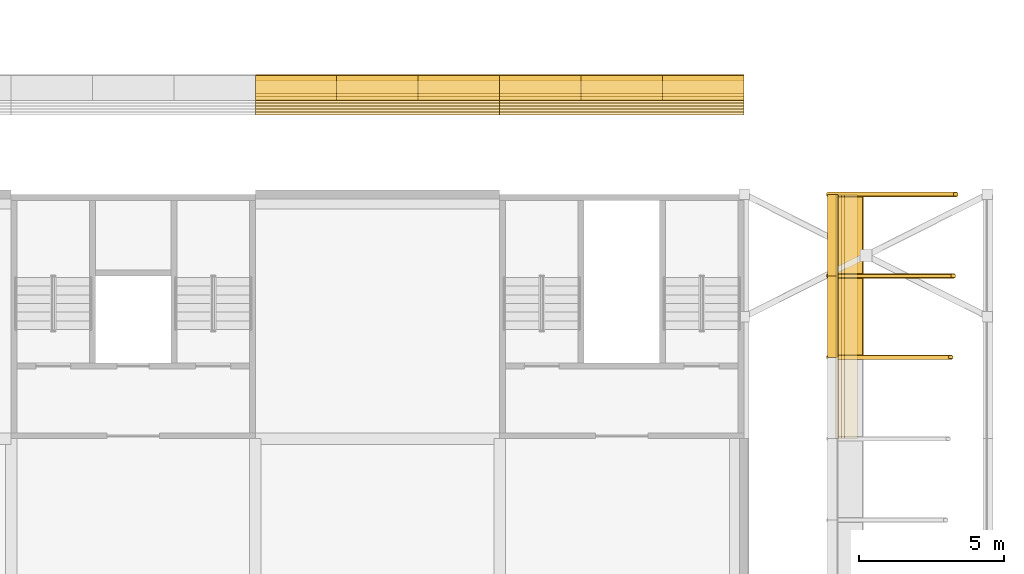
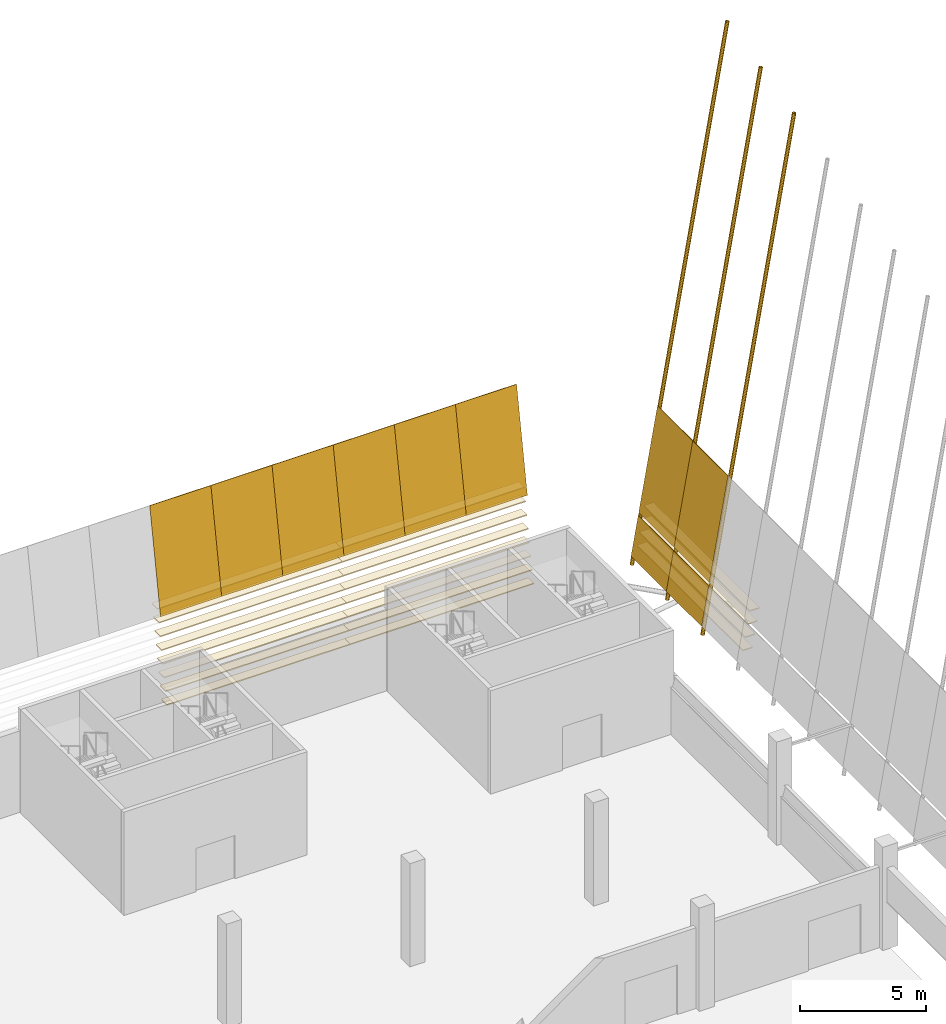
# One storey, part 81 of 82: 30 coverings, 3 shading devices.
"""IFC4 building model written with IfcOpenShell, lengths in metres."""

from ifc_helpers import new_model, si_unit, direction, frame, origin, origin_2d, place, context, subcontext, project, spatial, polyline, rectangle, hollow_circle, outline, extrude, material, layer, layer_set, material_profile, profile_set, type_object, element, save


model = new_model("IFC4")

# Units and contexts
model_context = context("Model", 3, precision=1e-05, world=origin(), true_north=direction((0.0, 1.0)))
body_context = subcontext(model_context, "Body", "Model", "MODEL_VIEW")
ifc_project = project(units=[si_unit("LENGTHUNIT", "METRE"), si_unit("AREAUNIT", "SQUARE_METRE"), si_unit("VOLUMEUNIT", "CUBIC_METRE"), si_unit("PLANEANGLEUNIT", "RADIAN"), si_unit("MASSUNIT", "GRAM", prefix="KILO")], contexts=[model_context])

# Site, building, storey
site_placement = place(None, origin())
site = spatial("IfcSite", under=ifc_project, at=site_placement, CompositionType="ELEMENT")
building_placement = place(site_placement, origin())
building = spatial("IfcBuilding", under=site, at=building_placement, Name="Almond Square Museum", CompositionType="ELEMENT")
storey_placement = place(building_placement, frame((0.0, 0.0, 20.0)))
storey = spatial("IfcBuildingStorey", under=building, at=storey_placement, Name="L03", CompositionType="ELEMENT", Elevation=20.0)

# Coverings
ifc_material_1 = material(Name="Cedar timber louvre board", Category="wood")
ifc_material_profile_1 = material_profile(ifc_material_1, rectangle(XDim=0.449951171875, YDim=0.050048828125, at=origin_2d()))
ifc_profile_set_1 = profile_set([ifc_material_profile_1], Name="Cedar timber louvre board")
covering_type_1 = type_object("IfcCoveringType", Name="Louvre board 450 x 50", PredefinedType="CLADDING", material=ifc_profile_set_1)
covering_1_placement = place(storey_placement, frame((132.0, 112.1513671875, 0.5), z_axis=(1.0, 0.0, 0.0), x_axis=(0.0, 1.0, 0.0)))
element("IfcCovering", 1, at=covering_1_placement, inside=storey, type_object=covering_type_1, Name="Louvre board N23.04", PredefinedType="CLADDING", context=body_context, shape_type="SweptSolid", body=[
    extrude(rectangle(XDim=0.449951171875, YDim=0.050048828125, at=origin_2d()), origin(), (0.0, 0.0, 1.0), 8.39990234375),
])
covering_2_placement = place(storey_placement, frame((140.39990234375, 112.1513671875, 0.5), z_axis=(1.0, 0.0, 0.0), x_axis=(0.0, 1.0, 0.0)))
element("IfcCovering", 2, at=covering_2_placement, inside=storey, type_object=covering_type_1, Name="Louvre board N23.05", PredefinedType="CLADDING", context=body_context, shape_type="SweptSolid", body=[
    extrude(rectangle(XDim=0.449951171875, YDim=0.050048828125, at=origin_2d()), origin(), (0.0, 0.0, 1.0), 8.400146484375),
])
covering_3_placement = place(storey_placement, frame((132.0, 112.257080078125, 1.10009765625), z_axis=(1.0, 0.0, 0.0), x_axis=(0.0, 1.0, 0.0)))
element("IfcCovering", 3, at=covering_3_placement, inside=storey, type_object=covering_type_1, Name="Louvre board N24.04", PredefinedType="CLADDING", context=body_context, shape_type="SweptSolid", body=[
    extrude(rectangle(XDim=0.449951171875, YDim=0.050048828125, at=origin_2d()), origin(), (0.0, 0.0, 1.0), 8.39990234375),
])
covering_4_placement = place(storey_placement, frame((140.39990234375, 112.257080078125, 1.10009765625), z_axis=(1.0, 0.0, 0.0), x_axis=(0.0, 1.0, 0.0)))
element("IfcCovering", 4, at=covering_4_placement, inside=storey, type_object=covering_type_1, Name="Louvre board N24.05", PredefinedType="CLADDING", context=body_context, shape_type="SweptSolid", body=[
    extrude(rectangle(XDim=0.449951171875, YDim=0.050048828125, at=origin_2d()), origin(), (0.0, 0.0, 1.0), 8.400146484375),
])
covering_5_placement = place(storey_placement, frame((132.0, 112.363037109375, 1.699951171875), z_axis=(1.0, 0.0, 0.0), x_axis=(0.0, 1.0, 0.0)))
element("IfcCovering", 5, at=covering_5_placement, inside=storey, type_object=covering_type_1, Name="Louvre board N25.04", PredefinedType="CLADDING", context=body_context, shape_type="SweptSolid", body=[
    extrude(rectangle(XDim=0.449951171875, YDim=0.050048828125, at=origin_2d()), origin(), (0.0, 0.0, 1.0), 8.39990234375),
])
covering_6_placement = place(storey_placement, frame((140.39990234375, 112.363037109375, 1.699951171875), z_axis=(1.0, 0.0, 0.0), x_axis=(0.0, 1.0, 0.0)))
element("IfcCovering", 6, at=covering_6_placement, inside=storey, type_object=covering_type_1, Name="Louvre board N25.05", PredefinedType="CLADDING", context=body_context, shape_type="SweptSolid", body=[
    extrude(rectangle(XDim=0.449951171875, YDim=0.050048828125, at=origin_2d()), origin(), (0.0, 0.0, 1.0), 8.400146484375),
])
covering_7_placement = place(storey_placement, frame((132.0, 112.46875, 2.300048828125), z_axis=(1.0, 0.0, 0.0), x_axis=(0.0, 1.0, 0.0)))
element("IfcCovering", 7, at=covering_7_placement, inside=storey, type_object=covering_type_1, Name="Louvre board N26.04", PredefinedType="CLADDING", context=body_context, shape_type="SweptSolid", body=[
    extrude(rectangle(XDim=0.449951171875, YDim=0.050048828125, at=origin_2d()), origin(), (0.0, 0.0, 1.0), 8.39990234375),
])
covering_8_placement = place(storey_placement, frame((140.39990234375, 112.46875, 2.300048828125), z_axis=(1.0, 0.0, 0.0), x_axis=(0.0, 1.0, 0.0)))
element("IfcCovering", 8, at=covering_8_placement, inside=storey, type_object=covering_type_1, Name="Louvre board N26.05", PredefinedType="CLADDING", context=body_context, shape_type="SweptSolid", body=[
    extrude(rectangle(XDim=0.449951171875, YDim=0.050048828125, at=origin_2d()), origin(), (0.0, 0.0, 1.0), 8.400146484375),
])
covering_9_placement = place(storey_placement, frame((132.0, 112.574462890625, 2.89990234375), z_axis=(1.0, 0.0, 0.0), x_axis=(0.0, 1.0, 0.0)))
element("IfcCovering", 9, at=covering_9_placement, inside=storey, type_object=covering_type_1, Name="Louvre board N27.04", PredefinedType="CLADDING", context=body_context, shape_type="SweptSolid", body=[
    extrude(rectangle(XDim=0.449951171875, YDim=0.050048828125, at=origin_2d()), origin(), (0.0, 0.0, 1.0), 8.39990234375),
])
covering_10_placement = place(storey_placement, frame((140.39990234375, 112.574462890625, 2.89990234375), z_axis=(1.0, 0.0, 0.0), x_axis=(0.0, 1.0, 0.0)))
element("IfcCovering", 10, at=covering_10_placement, inside=storey, type_object=covering_type_1, Name="Louvre board N27.05", PredefinedType="CLADDING", context=body_context, shape_type="SweptSolid", body=[
    extrude(rectangle(XDim=0.449951171875, YDim=0.050048828125, at=origin_2d()), origin(), (0.0, 0.0, 1.0), 8.400146484375),
])
covering_11_placement = place(storey_placement, frame((132.0, 112.680419921875, 3.5), z_axis=(1.0, 0.0, 0.0), x_axis=(0.0, 1.0, 0.0)))
element("IfcCovering", 11, at=covering_11_placement, inside=storey, type_object=covering_type_1, Name="Louvre board N28.04", PredefinedType="CLADDING", context=body_context, shape_type="SweptSolid", body=[
    extrude(rectangle(XDim=0.449951171875, YDim=0.050048828125, at=origin_2d()), origin(), (0.0, 0.0, 1.0), 8.39990234375),
])
covering_12_placement = place(storey_placement, frame((140.39990234375, 112.680419921875, 3.5), z_axis=(1.0, 0.0, 0.0), x_axis=(0.0, 1.0, 0.0)))
element("IfcCovering", 12, at=covering_12_placement, inside=storey, type_object=covering_type_1, Name="Louvre board N28.05", PredefinedType="CLADDING", context=body_context, shape_type="SweptSolid", body=[
    extrude(rectangle(XDim=0.449951171875, YDim=0.050048828125, at=origin_2d()), origin(), (0.0, 0.0, 1.0), 8.400146484375),
])
covering_13_placement = place(storey_placement, frame((132.0, 112.7861328125, 4.10009765625), z_axis=(1.0, 0.0, 0.0), x_axis=(0.0, 1.0, 0.0)))
element("IfcCovering", 13, at=covering_13_placement, inside=storey, type_object=covering_type_1, Name="Louvre board N29.04", PredefinedType="CLADDING", context=body_context, shape_type="SweptSolid", body=[
    extrude(rectangle(XDim=0.449951171875, YDim=0.050048828125, at=origin_2d()), origin(), (0.0, 0.0, 1.0), 8.39990234375),
])
covering_14_placement = place(storey_placement, frame((140.39990234375, 112.7861328125, 4.10009765625), z_axis=(1.0, 0.0, 0.0), x_axis=(0.0, 1.0, 0.0)))
element("IfcCovering", 14, at=covering_14_placement, inside=storey, type_object=covering_type_1, Name="Louvre board N29.05", PredefinedType="CLADDING", context=body_context, shape_type="SweptSolid", body=[
    extrude(rectangle(XDim=0.449951171875, YDim=0.050048828125, at=origin_2d()), origin(), (0.0, 0.0, 1.0), 8.400146484375),
])
covering_15_placement = place(storey_placement, frame((132.0, 112.891845703125, 4.699951171875), z_axis=(1.0, 0.0, 0.0), x_axis=(0.0, 1.0, 0.0)))
element("IfcCovering", 15, at=covering_15_placement, inside=storey, type_object=covering_type_1, Name="Louvre board N30.04", PredefinedType="CLADDING", context=body_context, shape_type="SweptSolid", body=[
    extrude(rectangle(XDim=0.449951171875, YDim=0.050048828125, at=origin_2d()), origin(), (0.0, 0.0, 1.0), 8.39990234375),
])
covering_16_placement = place(storey_placement, frame((140.39990234375, 112.891845703125, 4.699951171875), z_axis=(1.0, 0.0, 0.0), x_axis=(0.0, 1.0, 0.0)))
element("IfcCovering", 16, at=covering_16_placement, inside=storey, type_object=covering_type_1, Name="Louvre board N30.05", PredefinedType="CLADDING", context=body_context, shape_type="SweptSolid", body=[
    extrude(rectangle(XDim=0.449951171875, YDim=0.050048828125, at=origin_2d()), origin(), (0.0, 0.0, 1.0), 8.400146484375),
])
for number, where, z_axis, x_axis, name in (
    (17, (152.174560546875, 100.800048828125, 2.89990234375), (0.0, 1.0, 0.0), (-1.0, 0.0, 0.0), "Louvre board E01.07"),
    (18, (152.2802734375, 100.800048828125, 3.5), (0.0, 1.0, 0.0), (-1.0, 0.0, 0.0), "Louvre board E02.07"),
    (19, (152.38623046875, 100.800048828125, 4.10009765625), (0.0, 1.0, 0.0), (-1.0, 0.0, 0.0), "Louvre board E03.07"),
    (20, (152.491943359375, 100.800048828125, 4.699951171875), (0.0, 1.0, 0.0), (-1.0, 0.0, 0.0), "Louvre board E04.07"),
):
    element("IfcCovering", number, at=place(storey_placement, frame(where, z_axis=z_axis, x_axis=x_axis)), inside=storey, type_object=covering_type_1, Name=name, PredefinedType="CLADDING", context=body_context, shape_type="SweptSolid", body=[
        extrude(rectangle(XDim=0.449951171875, YDim=0.050048828125, at=origin_2d()), origin(), (0.0, 0.0, 1.0), 8.39990234375),
    ])

# Shading devices
ifc_material_2 = material(Name="Structural steel S355", Category="steel")
ifc_material_profile_2 = material_profile(ifc_material_2, hollow_circle(Radius=0.084228515625, WallThickness=0.008056640625, at=origin_2d()))
ifc_profile_set_2 = profile_set([ifc_material_profile_2], Name="Structural steel S355")
shading_device_type = type_object("IfcShadingDeviceType", Name="Louvre post CHS 168.3 x 8", PredefinedType="USERDEFINED", material=ifc_profile_set_2)
shading_device_1_placement = place(storey_placement, frame((151.720947265625, 103.60009765625, 2.0654296875), z_axis=(0.173646411795, 0.0, 0.984808064381), x_axis=(0.0, 1.0, 0.0)))
element("IfcShadingDevice", 21, at=shading_device_1_placement, inside=storey, type_object=shading_device_type, Name="Louvre post E20", ObjectType="POST", PredefinedType="USERDEFINED", context=body_context, shape_type="SweptSolid", body=[
    extrude(hollow_circle(Radius=0.084228515625, WallThickness=0.008056640625, at=origin_2d()), origin(), (0.0, 0.0, 1.0), 24.161376953125),
])
shading_device_2_placement = place(storey_placement, frame((151.720947265625, 106.39990234375, 2.0654296875), z_axis=(0.173647520459, 0.0, 0.984807868895), x_axis=(0.0, 1.0, 0.0)))
element("IfcShadingDevice", 22, at=shading_device_2_placement, inside=storey, type_object=shading_device_type, Name="Louvre post E21", ObjectType="POST", PredefinedType="USERDEFINED", context=body_context, shape_type="SweptSolid", body=[
    extrude(hollow_circle(Radius=0.084228515625, WallThickness=0.008056640625, at=origin_2d()), origin(), (0.0, 0.0, 1.0), 24.658935546875),
])
shading_device_3_placement = place(storey_placement, frame((151.720947265625, 109.199951171875, 2.0654296875), z_axis=(0.173648585268, 0.0, 0.984807681141), x_axis=(0.0, 1.0, 0.0)))
element("IfcShadingDevice", 23, at=shading_device_3_placement, inside=storey, type_object=shading_device_type, Name="Louvre post E22", ObjectType="POST", PredefinedType="USERDEFINED", context=body_context, shape_type="SweptSolid", body=[
    extrude(hollow_circle(Radius=0.084228515625, WallThickness=0.008056640625, at=origin_2d()), origin(), (0.0, 0.0, 1.0), 25.156494140625),
])

# Coverings
ifc_material_3 = material(Name="Cedar timber sheathing panel", Category="wood")
ifc_layer = layer(ifc_material_3, 0.030029296875)
ifc_layer_set = layer_set([ifc_layer], Name="Cedar timber sheathing panel")
covering_type_2 = type_object("IfcCoveringType", Name="Louvre rain-screen backing panel 30", PredefinedType="CLADDING", material=ifc_layer_set)
for number, where, z_axis, x_axis, name in (
    (24, (132.0, 112.4462890625, 4.469970703125), (0.0, -0.984808947576, 0.173641402823), (1.0, 0.0, 0.0), "Louvre rain-screen backing panel N10.06"),
    (25, (134.800048828125, 112.4462890625, 4.469970703125), (0.0, -0.984808947576, 0.173641402823), (1.0, 0.0, 0.0), "Louvre rain-screen backing panel N11.06"),
):
    element("IfcCovering", number, at=place(storey_placement, frame(where, z_axis=z_axis, x_axis=x_axis)), inside=storey, type_object=covering_type_2, Name=name, PredefinedType="CLADDING", context=body_context, shape_type="SweptSolid", body=[
        extrude(outline(polyline([(0.0, 0.0), (2.800048828125, 0.0), (2.800048828125, 4.935076426587713), (0.0, 4.935076426587713), (0.0, 0.0)])), frame((0.0, 0.0, -0.01513671875)), (0.0, 0.0, 1.0), 0.030029296875),
    ])
covering_17_placement = place(storey_placement, frame((137.60009765625, 112.4462890625, 4.469970703125), z_axis=(0.0, -0.984808947576, 0.173641402823), x_axis=(1.0, 0.0, 0.0)))
element("IfcCovering", 26, at=covering_17_placement, inside=storey, type_object=covering_type_2, Name="Louvre rain-screen backing panel N12.06", PredefinedType="CLADDING", context=body_context, shape_type="SweptSolid", body=[
    extrude(outline(polyline([(0.0, 0.0), (2.7998046875, 0.0), (2.7998046875, 4.935076426587713), (0.0, 4.935076426587713), (0.0, 0.0)])), frame((0.0, 0.0, -0.01513671875)), (0.0, 0.0, 1.0), 0.030029296875),
])
for number, where, z_axis, x_axis, name in (
    (27, (140.39990234375, 112.4462890625, 4.469970703125), (0.0, -0.984808947576, 0.173641402823), (1.0, 0.0, 0.0), "Louvre rain-screen backing panel N13.06"),
    (28, (143.199951171875, 112.4462890625, 4.469970703125), (0.0, -0.984808947576, 0.173641402823), (1.0, 0.0, 0.0), "Louvre rain-screen backing panel N14.06"),
    (29, (146.0, 112.4462890625, 4.469970703125), (0.0, -0.984808947576, 0.173641402823), (1.0, 0.0, 0.0), "Louvre rain-screen backing panel N15.06"),
):
    element("IfcCovering", number, at=place(storey_placement, frame(where, z_axis=z_axis, x_axis=x_axis)), inside=storey, type_object=covering_type_2, Name=name, PredefinedType="CLADDING", context=body_context, shape_type="SweptSolid", body=[
        extrude(outline(polyline([(0.0, 0.0), (2.800048828125, 0.0), (2.800048828125, 4.935076426587713), (0.0, 4.935076426587713), (0.0, 0.0)])), frame((0.0, 0.0, -0.01513671875)), (0.0, 0.0, 1.0), 0.030029296875),
    ])
covering_18_placement = place(storey_placement, frame((151.69287109375, 103.60009765625, 2.465576171875), z_axis=(0.984821183335, 0.0, -0.173571993292), x_axis=(0.0, 1.0, 0.0)))
element("IfcCovering", 30, at=covering_18_placement, inside=storey, type_object=covering_type_2, Name="Louvre rain-screen backing panel E20.05", PredefinedType="CLADDING", context=body_context, shape_type="SweptSolid", body=[
    extrude(outline(polyline([(0.0, 0.0), (2.7998046875, 0.0), (2.7998046875, 1.8932390820550982), (0.0, 1.8932390820550982), (0.0, 0.0)])), frame((0.0, 0.0, -0.01513671875)), (0.0, 0.0, 1.0), 0.030029296875),
])
covering_19_placement = place(storey_placement, frame((152.046142578125, 103.60009765625, 4.469970703125), z_axis=(0.984800486849, 0.0, -0.173689381088), x_axis=(0.0, 1.0, 0.0)))
element("IfcCovering", 31, at=covering_19_placement, inside=storey, type_object=covering_type_2, Name="Louvre rain-screen backing panel E20.06", PredefinedType="CLADDING", context=body_context, shape_type="SweptSolid", body=[
    extrude(outline(polyline([(0.0, 0.0), (2.7998046875, 0.0), (2.7998046875, 4.9351188253650715), (0.0, 4.9351188253650715), (0.0, 0.0)])), frame((0.0, 0.0, -0.01513671875)), (0.0, 0.0, 1.0), 0.030029296875),
])
covering_20_placement = place(storey_placement, frame((151.69287109375, 106.39990234375, 2.465576171875), z_axis=(0.984821183335, 0.0, -0.173571993292), x_axis=(0.0, 1.0, 0.0)))
element("IfcCovering", 32, at=covering_20_placement, inside=storey, type_object=covering_type_2, Name="Louvre rain-screen backing panel E21.05", PredefinedType="CLADDING", context=body_context, shape_type="SweptSolid", body=[
    extrude(outline(polyline([(0.0, 0.0), (2.800048828125, 0.0), (2.800048828125, 1.8932390820550984), (0.0, 1.8932390820550984), (0.0, 0.0)])), frame((0.0, 0.0, -0.01513671875)), (0.0, 0.0, 1.0), 0.030029296875),
])
covering_21_placement = place(storey_placement, frame((152.046142578125, 106.39990234375, 4.469970703125), z_axis=(0.984800486849, 0.0, -0.173689381088), x_axis=(0.0, 1.0, 0.0)))
element("IfcCovering", 33, at=covering_21_placement, inside=storey, type_object=covering_type_2, Name="Louvre rain-screen backing panel E21.06", PredefinedType="CLADDING", context=body_context, shape_type="SweptSolid", body=[
    extrude(outline(polyline([(0.0, 0.0), (2.800048828125, 0.0), (2.800048828125, 4.9351188253650715), (0.0, 4.9351188253650715), (0.0, 0.0)])), frame((0.0, 0.0, -0.01513671875)), (0.0, 0.0, 1.0), 0.030029296875),
])

save(model, "model.ifc")
